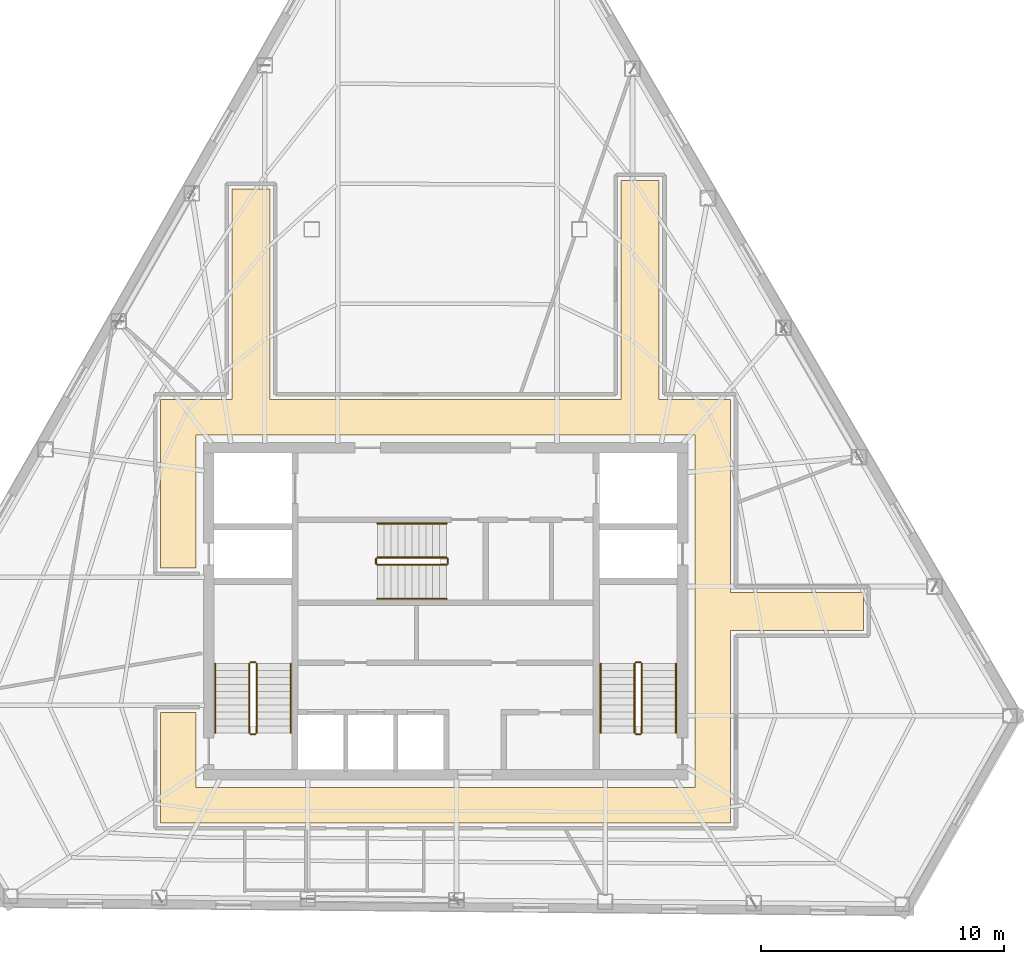
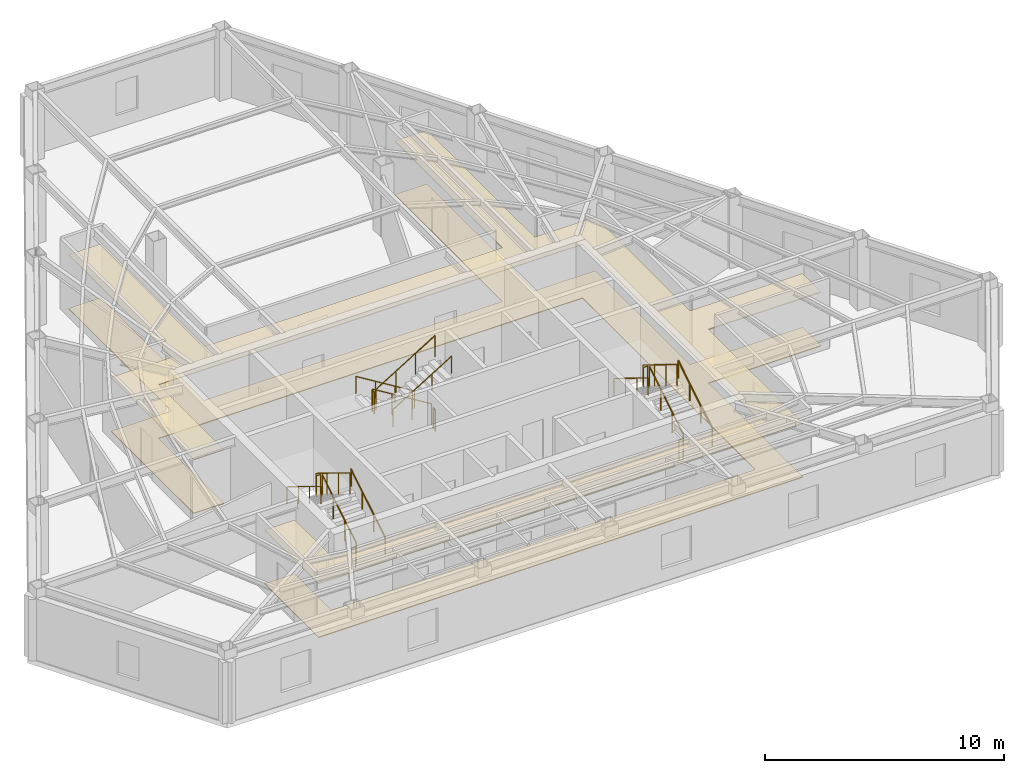
# One storey, part 10 of 10: 18 railings, 2 coverings.
"""IFC4 building model written with IfcOpenShell, lengths in metres."""

from ifc_helpers import new_model, si_unit, direction, frame, origin, origin_2d, place, context, subcontext, project, spatial, polyline, circle, outline, extrude, material, layer, layer_set, type_object, element, save


model = new_model("IFC4")

# Units and contexts
model_context = context("Model", 3, precision=1e-05, world=origin(), true_north=direction((0.0, 1.0)))
body_context = subcontext(model_context, "Body", "Model", "MODEL_VIEW")
ifc_project = project(units=[si_unit("LENGTHUNIT", "METRE"), si_unit("AREAUNIT", "SQUARE_METRE"), si_unit("VOLUMEUNIT", "CUBIC_METRE"), si_unit("PLANEANGLEUNIT", "RADIAN"), si_unit("MASSUNIT", "GRAM", prefix="KILO")], contexts=[model_context])

# Site, building, storey
site_placement = place(None, origin())
site = spatial("IfcSite", under=ifc_project, at=site_placement, CompositionType="ELEMENT")
building_placement = place(site_placement, origin())
building = spatial("IfcBuilding", under=site, at=building_placement, Name="Kavelnor Concourse Tower", CompositionType="ELEMENT")
storey_placement = place(building_placement, frame((0.0, 0.0, 180.39990234375)))
storey = spatial("IfcBuildingStorey", under=building, at=storey_placement, Name="L45", CompositionType="ELEMENT", Elevation=180.39990234375)

# Coverings
ifc_material_1 = material(Name="Mineral fibre acoustic ceiling tile")
ifc_layer_1 = layer(ifc_material_1, 0.0400390625, Name="Mineral fibre acoustic ceiling tile")
ifc_layer_set_1 = layer_set([ifc_layer_1], Name="Mineral fibre acoustic ceiling tile")
covering_type_1 = type_object("IfcCoveringType", Name="COV-CEILING-ACOUSTIC", PredefinedType="CEILING", material=ifc_layer_set_1)
covering_1_placement = place(storey_placement, frame((0.0, 0.0, 2.75)))
element("IfcCovering", 1, at=covering_1_placement, inside=storey, type_object=covering_type_1, Name="L45 Suspended Acoustic Ceiling", PredefinedType="CEILING", context=body_context, shape_type="SweptSolid", body=[
    extrude(outline(polyline([(29.219970703125, 24.800048828125), (29.219970703125, 33.4619140625), (30.780029296875, 33.4619140625), (30.780029296875, 24.800048828125), (45.219970703125, 24.800048828125), (45.219970703125, 33.822509765625), (46.780029296875, 33.822509765625), (46.780029296875, 24.800048828125), (49.719970703125, 24.800048828125), (49.719970703125, 16.8798828125), (55.179931640625, 16.8798828125), (55.179931640625, 15.320068359375), (49.719970703125, 15.320068359375), (49.719970703125, 7.39990234375), (26.280029296875, 7.39990234375), (26.280029296875, 11.929931640625), (27.739990234375, 11.929931640625), (27.739990234375, 8.860107421875), (48.260009765625, 8.860107421875), (48.260009765625, 23.340087890625), (27.739990234375, 23.340087890625), (27.739990234375, 17.8701171875), (26.280029296875, 17.8701171875), (26.280029296875, 24.800048828125), (29.219970703125, 24.800048828125)])), origin(), (0.0, 0.0, 1.0), 0.0400390625),
])
ifc_material_2 = material(Name="Honed bluestone and raised access floor finish", Category="masonry")
ifc_layer_2 = layer(ifc_material_2, 0.0400390625, Name="Honed bluestone and raised access floor finish")
ifc_layer_set_2 = layer_set([ifc_layer_2], Name="Honed bluestone and raised access floor finish")
covering_type_2 = type_object("IfcCoveringType", Name="COV-FLOOR-STONE", PredefinedType="FLOORING", material=ifc_layer_set_2)
covering_2_placement = place(storey_placement, frame((0.0, 0.0, 0.002197265625)))
element("IfcCovering", 2, at=covering_2_placement, inside=storey, type_object=covering_type_2, Name="L45 Honed Bluestone Floor Finish", PredefinedType="FLOORING", context=body_context, shape_type="SweptSolid", body=[
    extrude(outline(polyline([(29.219970703125, 24.800048828125), (29.219970703125, 33.4619140625), (30.780029296875, 33.4619140625), (30.780029296875, 24.800048828125), (45.219970703125, 24.800048828125), (45.219970703125, 33.822509765625), (46.780029296875, 33.822509765625), (46.780029296875, 24.800048828125), (49.719970703125, 24.800048828125), (49.719970703125, 16.8798828125), (55.179931640625, 16.8798828125), (55.179931640625, 15.320068359375), (49.719970703125, 15.320068359375), (49.719970703125, 7.39990234375), (26.280029296875, 7.39990234375), (26.280029296875, 11.929931640625), (27.739990234375, 11.929931640625), (27.739990234375, 8.860107421875), (48.260009765625, 8.860107421875), (48.260009765625, 23.340087890625), (27.739990234375, 23.340087890625), (27.739990234375, 17.8701171875), (26.280029296875, 17.8701171875), (26.280029296875, 24.800048828125), (29.219970703125, 24.800048828125)])), origin(), (0.0, 0.0, 1.0), 0.039794921875),
])

# Railings
ifc_material_3 = material(Name="Steel Grade 350", Category="steel")
railing_type_1 = type_object("IfcRailingType", Name="RLG-GUARD-1100", PredefinedType="GUARDRAIL", material=ifc_material_3)
railing_1_placement = place(storey_placement, frame((30.22998046875, 11.10009765625, 0.175048828125)))
element("IfcRailing", 3, at=railing_1_placement, inside=storey, type_object=railing_type_1, Name="L45 ST1 stair guard 1", PredefinedType="GUARDRAIL", context=body_context, shape_type="SweptSolid", body=[
    extrude(circle(Radius=0.02392578125, at=origin_2d()), frame((0.0, 0.0, 1.076171875), z_axis=(0.0, 0.852159232446, 0.523282564737), x_axis=(-1.0, 0.0, 0.0)), (0.0, 0.0, 1.0), 3.34423828125),
    extrude(circle(Radius=0.02099609375, at=origin_2d()), origin(), (0.0, 0.0, 1.0), 1.052001953125),
    extrude(circle(Radius=0.02099609375, at=origin_2d()), frame((0.0, 0.949951171875, 0.583251953125)), (0.0, 0.0, 1.0), 1.052001953125),
    extrude(circle(Radius=0.02099609375, at=origin_2d()), frame((0.0, 1.89990234375, 1.166748046875)), (0.0, 0.0, 1.0), 1.052001953125),
    extrude(circle(Radius=0.02099609375, at=origin_2d()), frame((0.0, 2.849853515625, 1.75)), (0.0, 0.0, 1.0), 1.052001953125),
])
railing_2_placement = place(storey_placement, frame((30.179931640625, 14.0, 1.925048828125)))
element("IfcRailing", 4, at=railing_2_placement, inside=storey, type_object=railing_type_1, Name="L45 ST1 stair guard 2", PredefinedType="GUARDRAIL", context=body_context, shape_type="SweptSolid", body=[
    extrude(circle(Radius=0.02392578125, at=origin_2d()), frame((0.0, 0.0, 1.076171875), z_axis=(-1.0, 0.0, 0.0), x_axis=(0.0, -1.0, 0.0)), (0.0, 0.0, 1.0), 0.199951171875),
    extrude(circle(Radius=0.02099609375, at=origin_2d()), origin(), (0.0, 0.0, 1.0), 1.052001953125),
    extrude(circle(Radius=0.02099609375, at=origin_2d()), frame((-0.199951171875, 0.0, 0.0)), (0.0, 0.0, 1.0), 1.052001953125),
])
railing_3_placement = place(storey_placement, frame((29.929931640625, 13.949951171875, 2.10009765625)))
element("IfcRailing", 5, at=railing_3_placement, inside=storey, type_object=railing_type_1, Name="L45 ST1 stair guard 3", PredefinedType="GUARDRAIL", context=body_context, shape_type="SweptSolid", body=[
    extrude(circle(Radius=0.02392578125, at=origin_2d()), frame((0.0, 0.0, 1.076171875), z_axis=(0.0, -0.852159232446, 0.523282564737), x_axis=(1.0, 0.0, 0.0)), (0.0, 0.0, 1.0), 3.34423828125),
    extrude(circle(Radius=0.02099609375, at=origin_2d()), origin(), (0.0, 0.0, 1.0), 1.052001953125),
    extrude(circle(Radius=0.02099609375, at=origin_2d()), frame((0.0, -0.949951171875, 0.583251953125)), (0.0, 0.0, 1.0), 1.052001953125),
    extrude(circle(Radius=0.02099609375, at=origin_2d()), frame((0.0, -1.89990234375, 1.166748046875)), (0.0, 0.0, 1.0), 1.052001953125),
    extrude(circle(Radius=0.02099609375, at=origin_2d()), frame((0.0, -2.849853515625, 1.75)), (0.0, 0.0, 1.0), 1.052001953125),
])
railing_4_placement = place(storey_placement, frame((30.179931640625, 11.050048828125, 0.0)))
element("IfcRailing", 6, at=railing_4_placement, inside=storey, type_object=railing_type_1, Name="L45 ST1 stair guard 4", PredefinedType="GUARDRAIL", context=body_context, shape_type="SweptSolid", body=[
    extrude(circle(Radius=0.02392578125, at=origin_2d()), frame((0.0, 0.0, 1.076171875), z_axis=(-1.0, 0.0, 0.0), x_axis=(0.0, -1.0, 0.0)), (0.0, 0.0, 1.0), 0.199951171875),
    extrude(circle(Radius=0.02099609375, at=origin_2d()), origin(), (0.0, 0.0, 1.0), 1.052001953125),
    extrude(circle(Radius=0.02099609375, at=origin_2d()), frame((-0.199951171875, 0.0, 0.0)), (0.0, 0.0, 1.0), 1.052001953125),
])
railing_5_placement = place(storey_placement, frame((46.070068359375, 11.10009765625, 0.175048828125)))
element("IfcRailing", 7, at=railing_5_placement, inside=storey, type_object=railing_type_1, Name="L45 ST2 stair guard 1", PredefinedType="GUARDRAIL", context=body_context, shape_type="SweptSolid", body=[
    extrude(circle(Radius=0.02392578125, at=origin_2d()), frame((0.0, 0.0, 1.076171875), z_axis=(0.0, 0.852159232446, 0.523282564737), x_axis=(-1.0, 0.0, 0.0)), (0.0, 0.0, 1.0), 3.34423828125),
    extrude(circle(Radius=0.02099609375, at=origin_2d()), origin(), (0.0, 0.0, 1.0), 1.052001953125),
    extrude(circle(Radius=0.02099609375, at=origin_2d()), frame((0.0, 0.949951171875, 0.583251953125)), (0.0, 0.0, 1.0), 1.052001953125),
    extrude(circle(Radius=0.02099609375, at=origin_2d()), frame((0.0, 1.89990234375, 1.166748046875)), (0.0, 0.0, 1.0), 1.052001953125),
    extrude(circle(Radius=0.02099609375, at=origin_2d()), frame((0.0, 2.849853515625, 1.75)), (0.0, 0.0, 1.0), 1.052001953125),
])
railing_6_placement = place(storey_placement, frame((46.02001953125, 14.0, 1.925048828125)))
element("IfcRailing", 8, at=railing_6_placement, inside=storey, type_object=railing_type_1, Name="L45 ST2 stair guard 2", PredefinedType="GUARDRAIL", context=body_context, shape_type="SweptSolid", body=[
    extrude(circle(Radius=0.02392578125, at=origin_2d()), frame((0.0, 0.0, 1.076171875), z_axis=(-1.0, 0.0, 0.0), x_axis=(0.0, -1.0, 0.0)), (0.0, 0.0, 1.0), 0.199951171875),
    extrude(circle(Radius=0.02099609375, at=origin_2d()), origin(), (0.0, 0.0, 1.0), 1.052001953125),
    extrude(circle(Radius=0.02099609375, at=origin_2d()), frame((-0.199951171875, 0.0, 0.0)), (0.0, 0.0, 1.0), 1.052001953125),
])
railing_7_placement = place(storey_placement, frame((45.77001953125, 13.949951171875, 2.10009765625)))
element("IfcRailing", 9, at=railing_7_placement, inside=storey, type_object=railing_type_1, Name="L45 ST2 stair guard 3", PredefinedType="GUARDRAIL", context=body_context, shape_type="SweptSolid", body=[
    extrude(circle(Radius=0.02392578125, at=origin_2d()), frame((0.0, 0.0, 1.076171875), z_axis=(0.0, -0.852159232446, 0.523282564737), x_axis=(1.0, 0.0, 0.0)), (0.0, 0.0, 1.0), 3.34423828125),
    extrude(circle(Radius=0.02099609375, at=origin_2d()), origin(), (0.0, 0.0, 1.0), 1.052001953125),
    extrude(circle(Radius=0.02099609375, at=origin_2d()), frame((0.0, -0.949951171875, 0.583251953125)), (0.0, 0.0, 1.0), 1.052001953125),
    extrude(circle(Radius=0.02099609375, at=origin_2d()), frame((0.0, -1.89990234375, 1.166748046875)), (0.0, 0.0, 1.0), 1.052001953125),
    extrude(circle(Radius=0.02099609375, at=origin_2d()), frame((0.0, -2.849853515625, 1.75)), (0.0, 0.0, 1.0), 1.052001953125),
])
railing_8_placement = place(storey_placement, frame((46.02001953125, 11.050048828125, 0.0)))
element("IfcRailing", 10, at=railing_8_placement, inside=storey, type_object=railing_type_1, Name="L45 ST2 stair guard 4", PredefinedType="GUARDRAIL", context=body_context, shape_type="SweptSolid", body=[
    extrude(circle(Radius=0.02392578125, at=origin_2d()), frame((0.0, 0.0, 1.076171875), z_axis=(-1.0, 0.0, 0.0), x_axis=(0.0, -1.0, 0.0)), (0.0, 0.0, 1.0), 0.199951171875),
    extrude(circle(Radius=0.02099609375, at=origin_2d()), origin(), (0.0, 0.0, 1.0), 1.052001953125),
    extrude(circle(Radius=0.02099609375, at=origin_2d()), frame((-0.199951171875, 0.0, 0.0)), (0.0, 0.0, 1.0), 1.052001953125),
])
railing_9_placement = place(storey_placement, frame((38.0400390625, 18.31005859375, 0.175048828125)))
element("IfcRailing", 11, at=railing_9_placement, inside=storey, type_object=railing_type_1, Name="L45 ST3 stair guard 1", PredefinedType="GUARDRAIL", context=body_context, shape_type="SweptSolid", body=[
    extrude(circle(Radius=0.02392578125, at=origin_2d()), frame((0.0, 0.0, 1.076171875), z_axis=(-0.852179220489, 0.0, 0.52325001306), x_axis=(0.0, -1.0, 0.0)), (0.0, 0.0, 1.0), 3.344482421875),
    extrude(circle(Radius=0.02099609375, at=origin_2d()), origin(), (0.0, 0.0, 1.0), 1.052001953125),
    extrude(circle(Radius=0.02099609375, at=origin_2d()), frame((-0.949951171875, 0.0, 0.583251953125)), (0.0, 0.0, 1.0), 1.052001953125),
    extrude(circle(Radius=0.02099609375, at=origin_2d()), frame((-1.900146484375, 0.0, 1.166748046875)), (0.0, 0.0, 1.0), 1.052001953125),
    extrude(circle(Radius=0.02099609375, at=origin_2d()), frame((-2.85009765625, 0.0, 1.75)), (0.0, 0.0, 1.0), 1.052001953125),
])
railing_10_placement = place(storey_placement, frame((35.139892578125, 18.260009765625, 1.925048828125)))
element("IfcRailing", 12, at=railing_10_placement, inside=storey, type_object=railing_type_1, Name="L45 ST3 stair guard 2", PredefinedType="GUARDRAIL", context=body_context, shape_type="SweptSolid", body=[
    extrude(circle(Radius=0.02392578125, at=origin_2d()), frame((0.0, 0.0, 1.076171875), z_axis=(0.0, -1.0, 0.0), x_axis=(1.0, 0.0, 0.0)), (0.0, 0.0, 1.0), 0.199951171875),
    extrude(circle(Radius=0.02099609375, at=origin_2d()), origin(), (0.0, 0.0, 1.0), 1.052001953125),
    extrude(circle(Radius=0.02099609375, at=origin_2d()), frame((0.0, -0.199951171875, 0.0)), (0.0, 0.0, 1.0), 1.052001953125),
])
railing_11_placement = place(storey_placement, frame((35.18994140625, 18.010009765625, 2.10009765625)))
element("IfcRailing", 13, at=railing_11_placement, inside=storey, type_object=railing_type_1, Name="L45 ST3 stair guard 3", PredefinedType="GUARDRAIL", context=body_context, shape_type="SweptSolid", body=[
    extrude(circle(Radius=0.02392578125, at=origin_2d()), frame((0.0, 0.0, 1.076171875), z_axis=(0.852179220489, 0.0, 0.52325001306), x_axis=(0.0, 1.0, 0.0)), (0.0, 0.0, 1.0), 3.344482421875),
    extrude(circle(Radius=0.02099609375, at=origin_2d()), origin(), (0.0, 0.0, 1.0), 1.052001953125),
    extrude(circle(Radius=0.02099609375, at=origin_2d()), frame((0.949951171875, 0.0, 0.583251953125)), (0.0, 0.0, 1.0), 1.052001953125),
    extrude(circle(Radius=0.02099609375, at=origin_2d()), frame((1.900146484375, 0.0, 1.166748046875)), (0.0, 0.0, 1.0), 1.052001953125),
    extrude(circle(Radius=0.02099609375, at=origin_2d()), frame((2.85009765625, 0.0, 1.75)), (0.0, 0.0, 1.0), 1.052001953125),
])
railing_12_placement = place(storey_placement, frame((38.090087890625, 18.260009765625, 0.0)))
element("IfcRailing", 14, at=railing_12_placement, inside=storey, type_object=railing_type_1, Name="L45 ST3 stair guard 4", PredefinedType="GUARDRAIL", context=body_context, shape_type="SweptSolid", body=[
    extrude(circle(Radius=0.02392578125, at=origin_2d()), frame((0.0, 0.0, 1.076171875), z_axis=(0.0, -1.0, 0.0), x_axis=(1.0, 0.0, 0.0)), (0.0, 0.0, 1.0), 0.199951171875),
    extrude(circle(Radius=0.02099609375, at=origin_2d()), origin(), (0.0, 0.0, 1.0), 1.052001953125),
    extrude(circle(Radius=0.02099609375, at=origin_2d()), frame((0.0, -0.199951171875, 0.0)), (0.0, 0.0, 1.0), 1.052001953125),
])
railing_type_2 = type_object("IfcRailingType", Name="RLG-HANDRAIL-900", PredefinedType="HANDRAIL", material=ifc_material_3)
railing_13_placement = place(storey_placement, frame((31.6298828125, 11.10009765625, 0.175048828125)))
element("IfcRailing", 15, at=railing_13_placement, inside=storey, type_object=railing_type_2, Name="L45 ST1 stair handrail 1", PredefinedType="HANDRAIL", context=body_context, shape_type="SweptSolid", body=[
    extrude(circle(Radius=0.02392578125, at=origin_2d()), frame((0.0, 0.0, 0.8759765625), z_axis=(0.0, 0.852159232446, 0.523282564737), x_axis=(-1.0, 0.0, 0.0)), (0.0, 0.0, 1.0), 3.34423828125),
    extrude(circle(Radius=0.02099609375, at=origin_2d()), origin(), (0.0, 0.0, 1.0), 0.851806640625),
    extrude(circle(Radius=0.02099609375, at=origin_2d()), frame((0.0, 0.949951171875, 0.583251953125)), (0.0, 0.0, 1.0), 0.851806640625),
    extrude(circle(Radius=0.02099609375, at=origin_2d()), frame((0.0, 1.89990234375, 1.166748046875)), (0.0, 0.0, 1.0), 0.851806640625),
    extrude(circle(Radius=0.02099609375, at=origin_2d()), frame((0.0, 2.849853515625, 1.75)), (0.0, 0.0, 1.0), 0.851806640625),
])
railing_14_placement = place(storey_placement, frame((28.530029296875, 13.949951171875, 2.10009765625)))
element("IfcRailing", 16, at=railing_14_placement, inside=storey, type_object=railing_type_2, Name="L45 ST1 stair handrail 2", PredefinedType="HANDRAIL", context=body_context, shape_type="SweptSolid", body=[
    extrude(circle(Radius=0.02392578125, at=origin_2d()), frame((0.0, 0.0, 0.8759765625), z_axis=(0.0, -0.852159232446, 0.523282564737), x_axis=(1.0, 0.0, 0.0)), (0.0, 0.0, 1.0), 3.34423828125),
    extrude(circle(Radius=0.02099609375, at=origin_2d()), origin(), (0.0, 0.0, 1.0), 0.851806640625),
    extrude(circle(Radius=0.02099609375, at=origin_2d()), frame((0.0, -0.949951171875, 0.583251953125)), (0.0, 0.0, 1.0), 0.851806640625),
    extrude(circle(Radius=0.02099609375, at=origin_2d()), frame((0.0, -1.89990234375, 1.166748046875)), (0.0, 0.0, 1.0), 0.851806640625),
    extrude(circle(Radius=0.02099609375, at=origin_2d()), frame((0.0, -2.849853515625, 1.75)), (0.0, 0.0, 1.0), 0.851806640625),
])
railing_15_placement = place(storey_placement, frame((47.469970703125, 11.10009765625, 0.175048828125)))
element("IfcRailing", 17, at=railing_15_placement, inside=storey, type_object=railing_type_2, Name="L45 ST2 stair handrail 1", PredefinedType="HANDRAIL", context=body_context, shape_type="SweptSolid", body=[
    extrude(circle(Radius=0.02392578125, at=origin_2d()), frame((0.0, 0.0, 0.8759765625), z_axis=(0.0, 0.852159232446, 0.523282564737), x_axis=(-1.0, 0.0, 0.0)), (0.0, 0.0, 1.0), 3.34423828125),
    extrude(circle(Radius=0.02099609375, at=origin_2d()), origin(), (0.0, 0.0, 1.0), 0.851806640625),
    extrude(circle(Radius=0.02099609375, at=origin_2d()), frame((0.0, 0.949951171875, 0.583251953125)), (0.0, 0.0, 1.0), 0.851806640625),
    extrude(circle(Radius=0.02099609375, at=origin_2d()), frame((0.0, 1.89990234375, 1.166748046875)), (0.0, 0.0, 1.0), 0.851806640625),
    extrude(circle(Radius=0.02099609375, at=origin_2d()), frame((0.0, 2.849853515625, 1.75)), (0.0, 0.0, 1.0), 0.851806640625),
])
railing_16_placement = place(storey_placement, frame((44.3701171875, 13.949951171875, 2.10009765625)))
element("IfcRailing", 18, at=railing_16_placement, inside=storey, type_object=railing_type_2, Name="L45 ST2 stair handrail 2", PredefinedType="HANDRAIL", context=body_context, shape_type="SweptSolid", body=[
    extrude(circle(Radius=0.02392578125, at=origin_2d()), frame((0.0, 0.0, 0.8759765625), z_axis=(0.0, -0.852159232446, 0.523282564737), x_axis=(1.0, 0.0, 0.0)), (0.0, 0.0, 1.0), 3.34423828125),
    extrude(circle(Radius=0.02099609375, at=origin_2d()), origin(), (0.0, 0.0, 1.0), 0.851806640625),
    extrude(circle(Radius=0.02099609375, at=origin_2d()), frame((0.0, -0.949951171875, 0.583251953125)), (0.0, 0.0, 1.0), 0.851806640625),
    extrude(circle(Radius=0.02099609375, at=origin_2d()), frame((0.0, -1.89990234375, 1.166748046875)), (0.0, 0.0, 1.0), 0.851806640625),
    extrude(circle(Radius=0.02099609375, at=origin_2d()), frame((0.0, -2.849853515625, 1.75)), (0.0, 0.0, 1.0), 0.851806640625),
])
railing_17_placement = place(storey_placement, frame((38.0400390625, 19.7099609375, 0.175048828125)))
element("IfcRailing", 19, at=railing_17_placement, inside=storey, type_object=railing_type_2, Name="L45 ST3 stair handrail 1", PredefinedType="HANDRAIL", context=body_context, shape_type="SweptSolid", body=[
    extrude(circle(Radius=0.02392578125, at=origin_2d()), frame((0.0, 0.0, 0.8759765625), z_axis=(-0.852179220489, 0.0, 0.52325001306), x_axis=(0.0, -1.0, 0.0)), (0.0, 0.0, 1.0), 3.344482421875),
    extrude(circle(Radius=0.02099609375, at=origin_2d()), origin(), (0.0, 0.0, 1.0), 0.851806640625),
    extrude(circle(Radius=0.02099609375, at=origin_2d()), frame((-0.949951171875, 0.0, 0.583251953125)), (0.0, 0.0, 1.0), 0.851806640625),
    extrude(circle(Radius=0.02099609375, at=origin_2d()), frame((-1.900146484375, 0.0, 1.166748046875)), (0.0, 0.0, 1.0), 0.851806640625),
    extrude(circle(Radius=0.02099609375, at=origin_2d()), frame((-2.85009765625, 0.0, 1.75)), (0.0, 0.0, 1.0), 0.851806640625),
])
railing_18_placement = place(storey_placement, frame((35.18994140625, 16.610107421875, 2.10009765625)))
element("IfcRailing", 20, at=railing_18_placement, inside=storey, type_object=railing_type_2, Name="L45 ST3 stair handrail 2", PredefinedType="HANDRAIL", context=body_context, shape_type="SweptSolid", body=[
    extrude(circle(Radius=0.02392578125, at=origin_2d()), frame((0.0, 0.0, 0.8759765625), z_axis=(0.852179220489, 0.0, 0.52325001306), x_axis=(0.0, 1.0, 0.0)), (0.0, 0.0, 1.0), 3.344482421875),
    extrude(circle(Radius=0.02099609375, at=origin_2d()), origin(), (0.0, 0.0, 1.0), 0.851806640625),
    extrude(circle(Radius=0.02099609375, at=origin_2d()), frame((0.949951171875, 0.0, 0.583251953125)), (0.0, 0.0, 1.0), 0.851806640625),
    extrude(circle(Radius=0.02099609375, at=origin_2d()), frame((1.900146484375, 0.0, 1.166748046875)), (0.0, 0.0, 1.0), 0.851806640625),
    extrude(circle(Radius=0.02099609375, at=origin_2d()), frame((2.85009765625, 0.0, 1.75)), (0.0, 0.0, 1.0), 0.851806640625),
])

save(model, "model.ifc")
